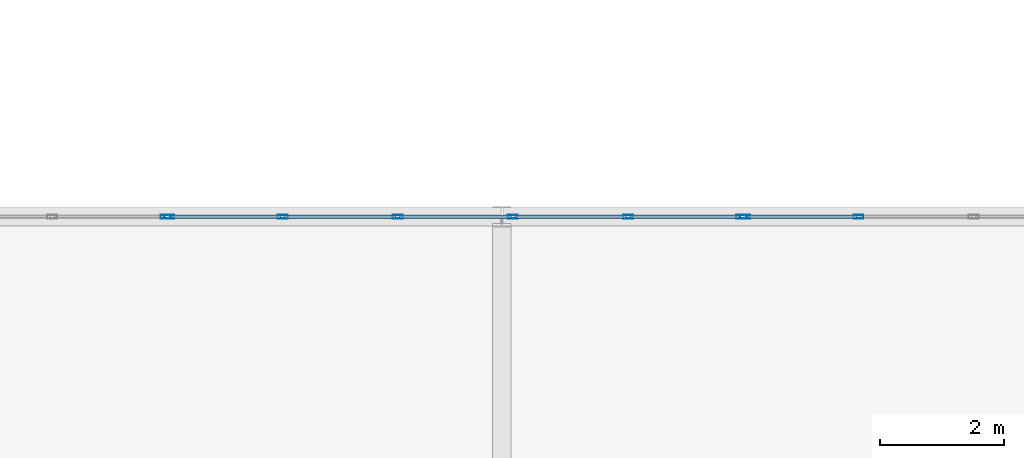
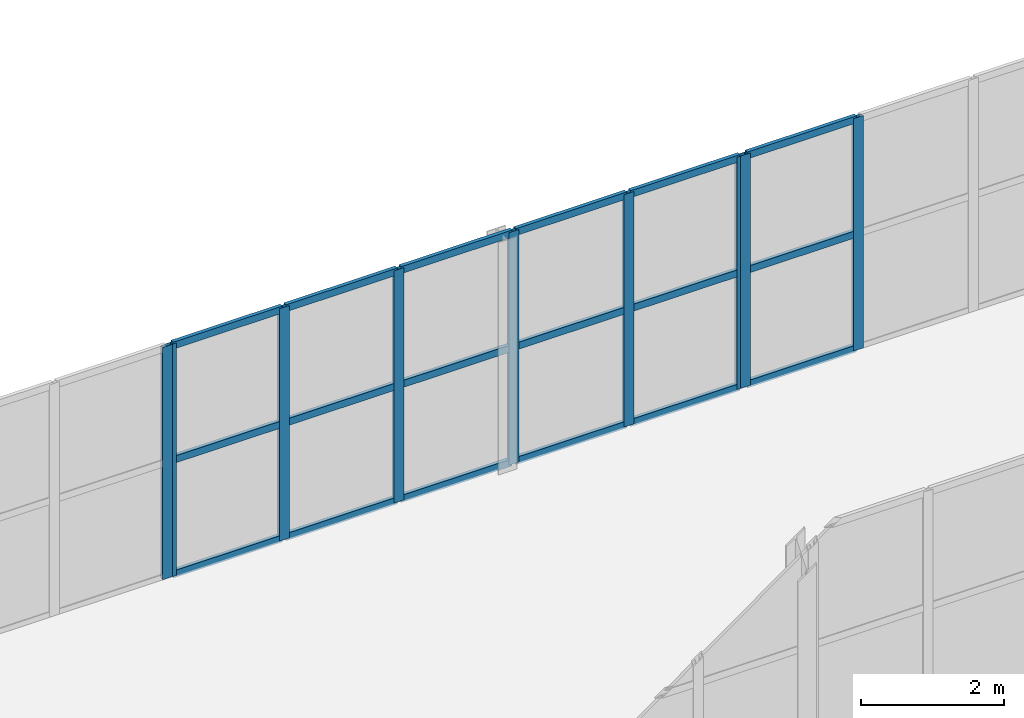
# One storey, part 60 of 138: 27 members, 3 elements without a shape of their own.
"""IFC4 building model written with IfcOpenShell, lengths in metres."""

from ifc_helpers import new_model, si_unit, direction, frame, origin, origin_2d, place, context, subcontext, project, spatial, hollow_rectangle, extrude, material, layer, layer_set, material_profile, profile_set, type_object, element, aggregate, save


model = new_model("IFC4")

# Units and contexts
model_context = context("Model", 3, precision=1e-05, world=origin(), true_north=direction((0.0, 1.0)))
body_context = subcontext(model_context, "Body", "Model", "MODEL_VIEW")
ifc_project = project(units=[si_unit("LENGTHUNIT", "METRE"), si_unit("AREAUNIT", "SQUARE_METRE"), si_unit("VOLUMEUNIT", "CUBIC_METRE"), si_unit("PLANEANGLEUNIT", "RADIAN"), si_unit("MASSUNIT", "GRAM", prefix="KILO")], contexts=[model_context])

# Site, building, storey
site_placement = place(None, origin())
site = spatial("IfcSite", under=ifc_project, at=site_placement, CompositionType="ELEMENT")
building_placement = place(site_placement, origin())
building = spatial("IfcBuilding", under=site, at=building_placement, Name="Vinh Khe Railworks Police Headquarters", CompositionType="ELEMENT")
storey_placement = place(building_placement, frame((0.0, 0.0, 9.0)))
storey = spatial("IfcBuildingStorey", under=building, at=storey_placement, Name="L02", CompositionType="ELEMENT", Elevation=9.0)

# Curtain wall, member
ifc_material_1 = material(Name="Anodised aluminium and solar-control glass", Category="aluminium")
ifc_layer = layer(ifc_material_1, 0.159912109375)
ifc_layer_set = layer_set([ifc_layer], Name="Anodised aluminium and solar-control glass")
curtain_wall_type = type_object("IfcCurtainWallType", Name="CW-SHOPFRONT", PredefinedType="USERDEFINED", material=ifc_layer_set)
curtain_wall_1_placement = place(storey_placement, origin())
curtain_wall_1 = element("IfcCurtainWall", 1, at=curtain_wall_1_placement, inside=storey, type_object=curtain_wall_type, Name="Link Bridge North Glazing L02 Bay 2", ObjectType="UNITISED GLAZING", PredefinedType="USERDEFINED")
ifc_material_2 = material(Name="Anodised aluminium 6063-T6", Category="aluminium")
ifc_material_profile_1 = material_profile(ifc_material_2, hollow_rectangle(XDim=0.06005859375, YDim=0.159912109375, WallThickness=0.00390625, at=origin_2d()), Name="CW-M 60x160x4")
ifc_profile_set_1 = profile_set([ifc_material_profile_1], Name="Anodised aluminium 6063-T6")
member_type_1 = type_object("IfcMemberType", Name="MULL-CWM-01", PredefinedType="MULLION", material=ifc_profile_set_1)
member_1_placement = place(storey_placement, frame((40.77001953125, 104.39990234375, 0.0), z_axis=(0.0, 0.0, 1.0), x_axis=(0.0, 1.0, 0.0)))
member_1 = element("IfcMember", 2, at=member_1_placement, type_object=member_type_1, Name="CW-03 mullion 6", PredefinedType="MULLION", context=body_context, shape_type="SweptSolid", body=[
    extrude(hollow_rectangle(XDim=0.06005859375, YDim=0.159912109375, WallThickness=0.00390625, at=origin_2d()), origin(), (0.0, 0.0, 1.0), 3.97998046875),
])
aggregate(curtain_wall_1, [member_1])

# Curtain wall, members
curtain_wall_2_placement = place(storey_placement, origin())
curtain_wall_2 = element("IfcCurtainWall", 3, at=curtain_wall_2_placement, inside=storey, type_object=curtain_wall_type, Name="Link Bridge North Glazing L02 Bay 3", ObjectType="UNITISED GLAZING", PredefinedType="USERDEFINED")
member_2_placement = place(storey_placement, frame((40.830078125, 104.39990234375, 0.0), z_axis=(0.0, 0.0, 1.0), x_axis=(0.0, 1.0, 0.0)))
member_2 = element("IfcMember", 4, at=member_2_placement, type_object=member_type_1, Name="CW-03 mullion 1", PredefinedType="MULLION", context=body_context, shape_type="SweptSolid", body=[
    extrude(hollow_rectangle(XDim=0.06005859375, YDim=0.159912109375, WallThickness=0.00390625, at=origin_2d()), origin(), (0.0, 0.0, 1.0), 3.97998046875),
])
member_3_placement = place(storey_placement, frame((42.659912109375, 104.39990234375, 0.0), z_axis=(0.0, 0.0, 1.0), x_axis=(0.0, 1.0, 0.0)))
member_3 = element("IfcMember", 5, at=member_3_placement, type_object=member_type_1, Name="CW-03 mullion 2", PredefinedType="MULLION", context=body_context, shape_type="SweptSolid", body=[
    extrude(hollow_rectangle(XDim=0.06005859375, YDim=0.159912109375, WallThickness=0.00390625, at=origin_2d()), origin(), (0.0, 0.0, 1.0), 3.97998046875),
])
member_4_placement = place(storey_placement, frame((44.52001953125, 104.39990234375, 0.0), z_axis=(0.0, 0.0, 1.0), x_axis=(0.0, 1.0, 0.0)))
member_4 = element("IfcMember", 6, at=member_4_placement, type_object=member_type_1, Name="CW-03 mullion 3", PredefinedType="MULLION", context=body_context, shape_type="SweptSolid", body=[
    extrude(hollow_rectangle(XDim=0.06005859375, YDim=0.159912109375, WallThickness=0.00390625, at=origin_2d()), origin(), (0.0, 0.0, 1.0), 3.97998046875),
])
member_5_placement = place(storey_placement, frame((46.3798828125, 104.39990234375, 0.0), z_axis=(0.0, 0.0, 1.0), x_axis=(0.0, 1.0, 0.0)))
member_5 = element("IfcMember", 7, at=member_5_placement, type_object=member_type_1, Name="CW-03 mullion 4", PredefinedType="MULLION", context=body_context, shape_type="SweptSolid", body=[
    extrude(hollow_rectangle(XDim=0.06005859375, YDim=0.159912109375, WallThickness=0.00390625, at=origin_2d()), origin(), (0.0, 0.0, 1.0), 3.97998046875),
])
member_6_placement = place(storey_placement, frame((48.239990234375, 104.39990234375, 0.0), z_axis=(0.0, 0.0, 1.0), x_axis=(0.0, 1.0, 0.0)))
member_6 = element("IfcMember", 8, at=member_6_placement, type_object=member_type_1, Name="CW-03 mullion 5", PredefinedType="MULLION", context=body_context, shape_type="SweptSolid", body=[
    extrude(hollow_rectangle(XDim=0.06005859375, YDim=0.159912109375, WallThickness=0.00390625, at=origin_2d()), origin(), (0.0, 0.0, 1.0), 3.97998046875),
])
member_7_placement = place(storey_placement, frame((50.070068359375, 104.39990234375, 0.0), z_axis=(0.0, 0.0, 1.0), x_axis=(0.0, 1.0, 0.0)))
member_7 = element("IfcMember", 9, at=member_7_placement, type_object=member_type_1, Name="CW-03 mullion 6", PredefinedType="MULLION", context=body_context, shape_type="SweptSolid", body=[
    extrude(hollow_rectangle(XDim=0.06005859375, YDim=0.159912109375, WallThickness=0.00390625, at=origin_2d()), origin(), (0.0, 0.0, 1.0), 3.97998046875),
])

curtain_wall_3_placement = place(storey_placement, origin())
curtain_wall_3 = element("IfcCurtainWall", 10, at=curtain_wall_3_placement, inside=storey, type_object=curtain_wall_type, Name="Link Bridge North Glazing L02 Bay 4", ObjectType="UNITISED GLAZING", PredefinedType="USERDEFINED")
member_8_placement = place(storey_placement, frame((50.1298828125, 104.39990234375, 0.0), z_axis=(0.0, 0.0, 1.0), x_axis=(0.0, 1.0, 0.0)))
member_8 = element("IfcMember", 11, at=member_8_placement, type_object=member_type_1, Name="CW-03 mullion 1", PredefinedType="MULLION", context=body_context, shape_type="SweptSolid", body=[
    extrude(hollow_rectangle(XDim=0.06005859375, YDim=0.159912109375, WallThickness=0.00390625, at=origin_2d()), origin(), (0.0, 0.0, 1.0), 3.97998046875),
])
member_9_placement = place(storey_placement, frame((51.9599609375, 104.39990234375, 0.0), z_axis=(0.0, 0.0, 1.0), x_axis=(0.0, 1.0, 0.0)))
member_9 = element("IfcMember", 12, at=member_9_placement, type_object=member_type_1, Name="CW-03 mullion 2", PredefinedType="MULLION", context=body_context, shape_type="SweptSolid", body=[
    extrude(hollow_rectangle(XDim=0.06005859375, YDim=0.159912109375, WallThickness=0.00390625, at=origin_2d()), origin(), (0.0, 0.0, 1.0), 3.97998046875),
])

# Member
ifc_material_profile_2 = material_profile(ifc_material_2, hollow_rectangle(XDim=0.06005859375, YDim=0.1201171875, WallThickness=0.00390625, at=origin_2d()), Name="CW-T 60x120x4")
ifc_profile_set_2 = profile_set([ifc_material_profile_2], Name="Anodised aluminium 6063-T6")
member_type_2 = type_object("IfcMemberType", Name="TRAN-CWT-01", PredefinedType="USERDEFINED", material=ifc_profile_set_2)
member_10_placement = place(storey_placement, frame((40.860107421875, 104.39990234375, 0.030029296875), z_axis=(1.0, 0.0, 0.0), x_axis=(0.0, 1.0, 0.0)))
member_10 = element("IfcMember", 13, at=member_10_placement, type_object=member_type_2, Name="CW-03 transom 1.1", ObjectType="TRANSOM", PredefinedType="USERDEFINED", context=body_context, shape_type="SweptSolid", body=[
    extrude(hollow_rectangle(XDim=0.06005859375, YDim=0.1201171875, WallThickness=0.00390625, at=origin_2d()), origin(), (0.0, 0.0, 1.0), 1.769775390625),
])

member_11_placement = place(storey_placement, frame((40.860107421875, 104.39990234375, 1.989990234375), z_axis=(1.0, 0.0, 0.0), x_axis=(0.0, 1.0, 0.0)))
member_11 = element("IfcMember", 14, at=member_11_placement, type_object=member_type_2, Name="CW-03 transom 1.2", ObjectType="TRANSOM", PredefinedType="USERDEFINED", context=body_context, shape_type="SweptSolid", body=[
    extrude(hollow_rectangle(XDim=0.06005859375, YDim=0.1201171875, WallThickness=0.00390625, at=origin_2d()), origin(), (0.0, 0.0, 1.0), 1.769775390625),
])

member_12_placement = place(storey_placement, frame((40.860107421875, 104.39990234375, 3.949951171875), z_axis=(1.0, 0.0, 0.0), x_axis=(0.0, 1.0, 0.0)))
member_12 = element("IfcMember", 15, at=member_12_placement, type_object=member_type_2, Name="CW-03 transom 1.3", ObjectType="TRANSOM", PredefinedType="USERDEFINED", context=body_context, shape_type="SweptSolid", body=[
    extrude(hollow_rectangle(XDim=0.06005859375, YDim=0.1201171875, WallThickness=0.00390625, at=origin_2d()), origin(), (0.0, 0.0, 1.0), 1.769775390625),
])

member_13_placement = place(storey_placement, frame((42.68994140625, 104.39990234375, 0.030029296875), z_axis=(1.0, 0.0, 0.0), x_axis=(0.0, 1.0, 0.0)))
member_13 = element("IfcMember", 16, at=member_13_placement, type_object=member_type_2, Name="CW-03 transom 2.1", ObjectType="TRANSOM", PredefinedType="USERDEFINED", context=body_context, shape_type="SweptSolid", body=[
    extrude(hollow_rectangle(XDim=0.06005859375, YDim=0.1201171875, WallThickness=0.00390625, at=origin_2d()), origin(), (0.0, 0.0, 1.0), 1.800048828125),
])

member_14_placement = place(storey_placement, frame((42.68994140625, 104.39990234375, 1.989990234375), z_axis=(1.0, 0.0, 0.0), x_axis=(0.0, 1.0, 0.0)))
member_14 = element("IfcMember", 17, at=member_14_placement, type_object=member_type_2, Name="CW-03 transom 2.2", ObjectType="TRANSOM", PredefinedType="USERDEFINED", context=body_context, shape_type="SweptSolid", body=[
    extrude(hollow_rectangle(XDim=0.06005859375, YDim=0.1201171875, WallThickness=0.00390625, at=origin_2d()), origin(), (0.0, 0.0, 1.0), 1.800048828125),
])

member_15_placement = place(storey_placement, frame((42.68994140625, 104.39990234375, 3.949951171875), z_axis=(1.0, 0.0, 0.0), x_axis=(0.0, 1.0, 0.0)))
member_15 = element("IfcMember", 18, at=member_15_placement, type_object=member_type_2, Name="CW-03 transom 2.3", ObjectType="TRANSOM", PredefinedType="USERDEFINED", context=body_context, shape_type="SweptSolid", body=[
    extrude(hollow_rectangle(XDim=0.06005859375, YDim=0.1201171875, WallThickness=0.00390625, at=origin_2d()), origin(), (0.0, 0.0, 1.0), 1.800048828125),
])

member_16_placement = place(storey_placement, frame((44.550048828125, 104.39990234375, 0.030029296875), z_axis=(1.0, 0.0, 0.0), x_axis=(0.0, 1.0, 0.0)))
member_16 = element("IfcMember", 19, at=member_16_placement, type_object=member_type_2, Name="CW-03 transom 3.1", ObjectType="TRANSOM", PredefinedType="USERDEFINED", context=body_context, shape_type="SweptSolid", body=[
    extrude(hollow_rectangle(XDim=0.06005859375, YDim=0.1201171875, WallThickness=0.00390625, at=origin_2d()), origin(), (0.0, 0.0, 1.0), 1.800048828125),
])

member_17_placement = place(storey_placement, frame((44.550048828125, 104.39990234375, 1.989990234375), z_axis=(1.0, 0.0, 0.0), x_axis=(0.0, 1.0, 0.0)))
member_17 = element("IfcMember", 20, at=member_17_placement, type_object=member_type_2, Name="CW-03 transom 3.2", ObjectType="TRANSOM", PredefinedType="USERDEFINED", context=body_context, shape_type="SweptSolid", body=[
    extrude(hollow_rectangle(XDim=0.06005859375, YDim=0.1201171875, WallThickness=0.00390625, at=origin_2d()), origin(), (0.0, 0.0, 1.0), 1.800048828125),
])

member_18_placement = place(storey_placement, frame((44.550048828125, 104.39990234375, 3.949951171875), z_axis=(1.0, 0.0, 0.0), x_axis=(0.0, 1.0, 0.0)))
member_18 = element("IfcMember", 21, at=member_18_placement, type_object=member_type_2, Name="CW-03 transom 3.3", ObjectType="TRANSOM", PredefinedType="USERDEFINED", context=body_context, shape_type="SweptSolid", body=[
    extrude(hollow_rectangle(XDim=0.06005859375, YDim=0.1201171875, WallThickness=0.00390625, at=origin_2d()), origin(), (0.0, 0.0, 1.0), 1.800048828125),
])

member_19_placement = place(storey_placement, frame((46.409912109375, 104.39990234375, 0.030029296875), z_axis=(1.0, 0.0, 0.0), x_axis=(0.0, 1.0, 0.0)))
member_19 = element("IfcMember", 22, at=member_19_placement, type_object=member_type_2, Name="CW-03 transom 4.1", ObjectType="TRANSOM", PredefinedType="USERDEFINED", context=body_context, shape_type="SweptSolid", body=[
    extrude(hollow_rectangle(XDim=0.06005859375, YDim=0.1201171875, WallThickness=0.00390625, at=origin_2d()), origin(), (0.0, 0.0, 1.0), 1.800048828125),
])

member_20_placement = place(storey_placement, frame((46.409912109375, 104.39990234375, 1.989990234375), z_axis=(1.0, 0.0, 0.0), x_axis=(0.0, 1.0, 0.0)))
member_20 = element("IfcMember", 23, at=member_20_placement, type_object=member_type_2, Name="CW-03 transom 4.2", ObjectType="TRANSOM", PredefinedType="USERDEFINED", context=body_context, shape_type="SweptSolid", body=[
    extrude(hollow_rectangle(XDim=0.06005859375, YDim=0.1201171875, WallThickness=0.00390625, at=origin_2d()), origin(), (0.0, 0.0, 1.0), 1.800048828125),
])

member_21_placement = place(storey_placement, frame((46.409912109375, 104.39990234375, 3.949951171875), z_axis=(1.0, 0.0, 0.0), x_axis=(0.0, 1.0, 0.0)))
member_21 = element("IfcMember", 24, at=member_21_placement, type_object=member_type_2, Name="CW-03 transom 4.3", ObjectType="TRANSOM", PredefinedType="USERDEFINED", context=body_context, shape_type="SweptSolid", body=[
    extrude(hollow_rectangle(XDim=0.06005859375, YDim=0.1201171875, WallThickness=0.00390625, at=origin_2d()), origin(), (0.0, 0.0, 1.0), 1.800048828125),
])

member_22_placement = place(storey_placement, frame((48.27001953125, 104.39990234375, 0.030029296875), z_axis=(1.0, 0.0, 0.0), x_axis=(0.0, 1.0, 0.0)))
member_22 = element("IfcMember", 25, at=member_22_placement, type_object=member_type_2, Name="CW-03 transom 5.1", ObjectType="TRANSOM", PredefinedType="USERDEFINED", context=body_context, shape_type="SweptSolid", body=[
    extrude(hollow_rectangle(XDim=0.06005859375, YDim=0.1201171875, WallThickness=0.00390625, at=origin_2d()), origin(), (0.0, 0.0, 1.0), 1.77001953125),
])

member_23_placement = place(storey_placement, frame((48.27001953125, 104.39990234375, 1.989990234375), z_axis=(1.0, 0.0, 0.0), x_axis=(0.0, 1.0, 0.0)))
member_23 = element("IfcMember", 26, at=member_23_placement, type_object=member_type_2, Name="CW-03 transom 5.2", ObjectType="TRANSOM", PredefinedType="USERDEFINED", context=body_context, shape_type="SweptSolid", body=[
    extrude(hollow_rectangle(XDim=0.06005859375, YDim=0.1201171875, WallThickness=0.00390625, at=origin_2d()), origin(), (0.0, 0.0, 1.0), 1.77001953125),
])

member_24_placement = place(storey_placement, frame((48.27001953125, 104.39990234375, 3.949951171875), z_axis=(1.0, 0.0, 0.0), x_axis=(0.0, 1.0, 0.0)))
member_24 = element("IfcMember", 27, at=member_24_placement, type_object=member_type_2, Name="CW-03 transom 5.3", ObjectType="TRANSOM", PredefinedType="USERDEFINED", context=body_context, shape_type="SweptSolid", body=[
    extrude(hollow_rectangle(XDim=0.06005859375, YDim=0.1201171875, WallThickness=0.00390625, at=origin_2d()), origin(), (0.0, 0.0, 1.0), 1.77001953125),
])

aggregate(curtain_wall_2, [member_2, member_3, member_4, member_5, member_6, member_7, member_10, member_11, member_12, member_13, member_14, member_15, member_16, member_17, member_18, member_19, member_20, member_21, member_22, member_23, member_24])

member_25_placement = place(storey_placement, frame((50.159912109375, 104.39990234375, 0.030029296875), z_axis=(1.0, 0.0, 0.0), x_axis=(0.0, 1.0, 0.0)))
member_25 = element("IfcMember", 28, at=member_25_placement, type_object=member_type_2, Name="CW-03 transom 1.1", ObjectType="TRANSOM", PredefinedType="USERDEFINED", context=body_context, shape_type="SweptSolid", body=[
    extrude(hollow_rectangle(XDim=0.06005859375, YDim=0.1201171875, WallThickness=0.00390625, at=origin_2d()), origin(), (0.0, 0.0, 1.0), 1.77001953125),
])

member_26_placement = place(storey_placement, frame((50.159912109375, 104.39990234375, 1.989990234375), z_axis=(1.0, 0.0, 0.0), x_axis=(0.0, 1.0, 0.0)))
member_26 = element("IfcMember", 29, at=member_26_placement, type_object=member_type_2, Name="CW-03 transom 1.2", ObjectType="TRANSOM", PredefinedType="USERDEFINED", context=body_context, shape_type="SweptSolid", body=[
    extrude(hollow_rectangle(XDim=0.06005859375, YDim=0.1201171875, WallThickness=0.00390625, at=origin_2d()), origin(), (0.0, 0.0, 1.0), 1.77001953125),
])

member_27_placement = place(storey_placement, frame((50.159912109375, 104.39990234375, 3.949951171875), z_axis=(1.0, 0.0, 0.0), x_axis=(0.0, 1.0, 0.0)))
member_27 = element("IfcMember", 30, at=member_27_placement, type_object=member_type_2, Name="CW-03 transom 1.3", ObjectType="TRANSOM", PredefinedType="USERDEFINED", context=body_context, shape_type="SweptSolid", body=[
    extrude(hollow_rectangle(XDim=0.06005859375, YDim=0.1201171875, WallThickness=0.00390625, at=origin_2d()), origin(), (0.0, 0.0, 1.0), 1.77001953125),
])

aggregate(curtain_wall_3, [member_8, member_9, member_25, member_26, member_27])

save(model, "model.ifc")
